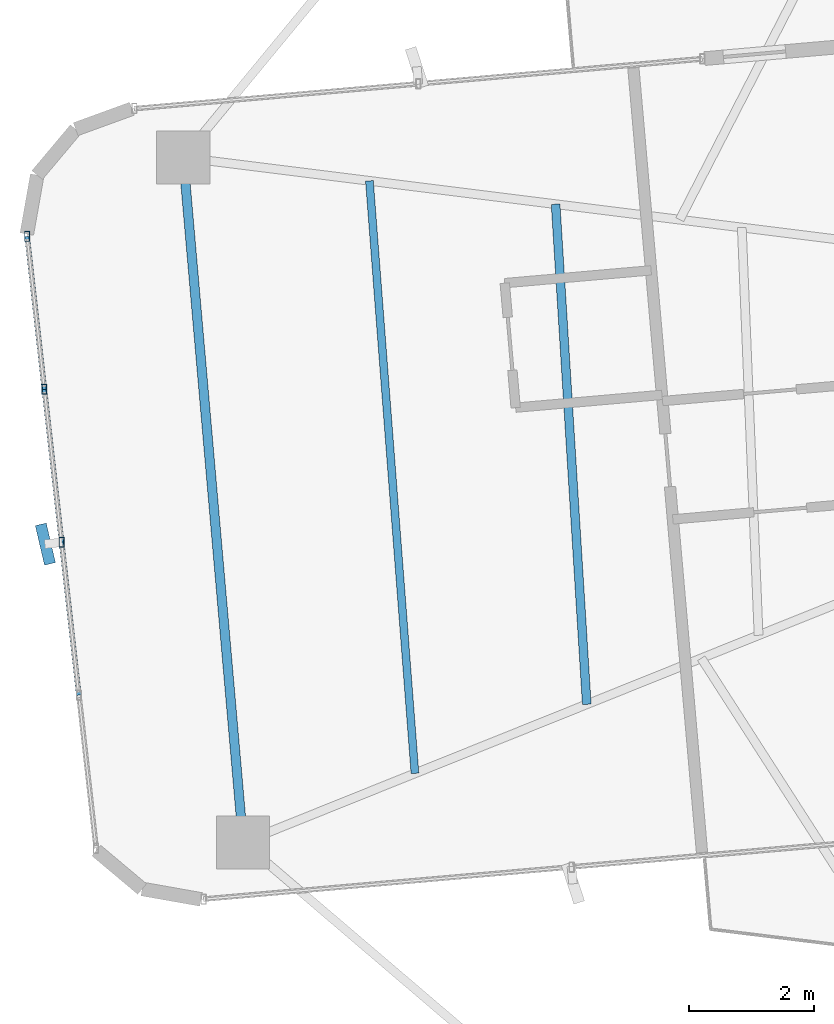
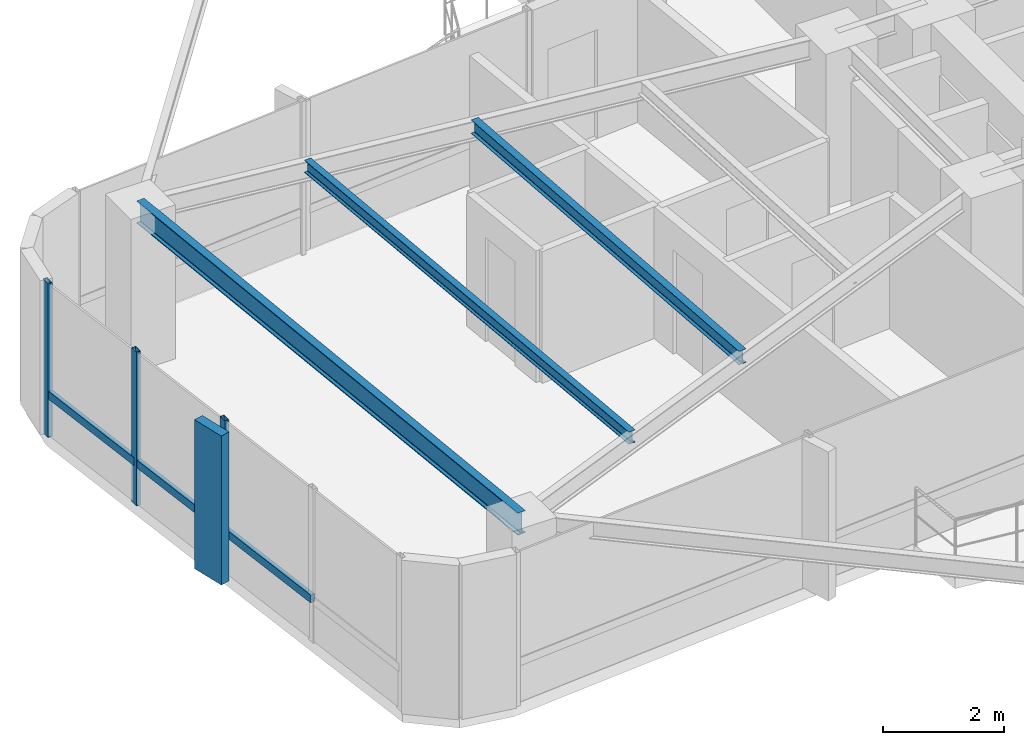
# One storey, part 8 of 24: 7 members, 3 beams, 1 element without a shape of its own.
"""IFC4 building model written with IfcOpenShell, lengths in metres."""

from ifc_helpers import new_model, si_unit, direction, frame, origin, origin_2d, place, context, subcontext, project, spatial, rectangle, hollow_rectangle, i_section, extrude, source, transform, mapped, material, material_profile, profile_set, type_object, element, aggregate, save


model = new_model("IFC4")

# Units and contexts
model_context = context("Model", 3, precision=1e-05, world=origin(), true_north=direction((0.0, 1.0)))
body_context = subcontext(model_context, "Body", "Model", "MODEL_VIEW")
ifc_project = project(units=[si_unit("LENGTHUNIT", "METRE"), si_unit("AREAUNIT", "SQUARE_METRE"), si_unit("VOLUMEUNIT", "CUBIC_METRE"), si_unit("PLANEANGLEUNIT", "RADIAN"), si_unit("MASSUNIT", "GRAM", prefix="KILO")], contexts=[model_context])

# Site, building, storey
site_placement = place(None, origin())
site = spatial("IfcSite", under=ifc_project, at=site_placement, CompositionType="ELEMENT")
building_placement = place(site_placement, origin())
building = spatial("IfcBuilding", under=site, at=building_placement, Name="Sahyath Konkavel Grand Hotel", CompositionType="ELEMENT")
storey_placement = place(building_placement, frame((0.0, 0.0, 191.949951171875)))
storey = spatial("IfcBuildingStorey", under=building, at=storey_placement, Name="L53", CompositionType="ELEMENT", Elevation=191.949951171875)

# Beams
ifc_material_1 = material(Name="Steel E350", Category="steel")
ifc_material_profile_1 = material_profile(ifc_material_1, i_section(OverallWidth=0.14990234375, OverallDepth=0.449951171875, WebThickness=0.009521484375, FlangeThickness=0.017333984375, FilletRadius=0.014892578125, at=origin_2d()), Name="ISMB 450")
ifc_profile_set_1 = profile_set([ifc_material_profile_1], Name="Steel E350")
beam_type_1 = type_object("IfcBeamType", Name="BM-ISMB450", PredefinedType="BEAM", material=ifc_profile_set_1)
shared_shape_1 = source(origin(), body_context, "Body", "SweptSolid", [
    extrude(i_section(OverallWidth=0.14990234375, OverallDepth=0.449951171875, WebThickness=0.009521484375, FlangeThickness=0.017333984375, FilletRadius=0.014892578125, at=origin_2d()), origin(), (0.0, 0.0, 1.0), 11.0),
])
beam_1_placement = place(storey_placement, frame((-17.912841796875, 3.953857421875, 2.885009765625), z_axis=(0.087157314015, -0.996194560622, 0.0), x_axis=(0.996194560622, 0.087157314015, 0.0)))
element("IfcBeam", 1, at=beam_1_placement, inside=storey, type_object=beam_type_1, Name="L53 Wing Tip Edge Beam W", PredefinedType="BEAM", context=body_context, shape_type="MappedRepresentation", body=[
    mapped(shared_shape_1, transform((0.0, 0.0, 0.0), scale=1.0)),
])
ifc_material_profile_2 = material_profile(ifc_material_1, i_section(OverallWidth=0.139892578125, OverallDepth=0.27490234375, WebThickness=0.00634765625, FlangeThickness=0.0087890625, FilletRadius=0.012939453125, at=origin_2d()), Name="ISLB 275")
ifc_profile_set_2 = profile_set([ifc_material_profile_2], Name="Steel E350")
beam_type_2 = type_object("IfcBeamType", Name="BM-ISLB275", PredefinedType="BEAM", material=ifc_profile_set_2)
shared_shape_2 = source(origin(), body_context, "Body", "SweptSolid", [
    extrude(i_section(OverallWidth=0.139892578125, OverallDepth=0.27490234375, WebThickness=0.00634765625, FlangeThickness=0.0087890625, FilletRadius=0.012939453125, at=origin_2d()), origin(), (0.0, 0.0, 1.0), 8.017822265625),
])
beam_2_placement = place(storey_placement, frame((-11.95458984375, 3.2080078125, 2.97265625), z_axis=(0.062179233264, -0.998064999362, 0.0), x_axis=(0.998064999362, 0.062179233264, 0.0)))
element("IfcBeam", 2, at=beam_2_placement, inside=storey, type_object=beam_type_2, Name="L53 Secondary Floor Beam W-2", PredefinedType="BEAM", context=body_context, shape_type="MappedRepresentation", body=[
    mapped(shared_shape_2, transform((0.0, 0.0, 0.0), scale=1.0)),
])
ifc_material_profile_3 = material_profile(ifc_material_1, i_section(OverallWidth=0.125, OverallDepth=0.25, WebThickness=0.0068359375, FlangeThickness=0.012451171875, FilletRadius=0.012939453125, at=origin_2d()), Name="ISMB 250")
ifc_profile_set_3 = profile_set([ifc_material_profile_3], Name="Steel E350")
beam_type_3 = type_object("IfcBeamType", Name="BM-ISMB250", PredefinedType="BEAM", material=ifc_profile_set_3)
shared_shape_3 = source(origin(), body_context, "Body", "SweptSolid", [
    extrude(i_section(OverallWidth=0.125, OverallDepth=0.25, WebThickness=0.0068359375, FlangeThickness=0.012451171875, FilletRadius=0.012939453125, at=origin_2d()), origin(), (0.0, 0.0, 1.0), 9.508056640625),
])
beam_3_placement = place(storey_placement, frame((-14.93359375, 3.580810546875, 2.985107421875), z_axis=(0.076619921029, -0.997060373148, 0.0), x_axis=(0.997060373148, 0.076619921029, 0.0)))
element("IfcBeam", 3, at=beam_3_placement, inside=storey, type_object=beam_type_3, Name="L53 Secondary Floor Beam W-3", PredefinedType="BEAM", context=body_context, shape_type="MappedRepresentation", body=[
    mapped(shared_shape_3, transform((0.0, 0.0, 0.0), scale=1.0)),
])

# Curtain wall, members
ifc_material_2 = material(Name="Anodised Bronze Aluminium & Low-E Glazing", Category="aluminium")
curtain_wall_type = type_object("IfcCurtainWallType", Name="CW-ZONE3", PredefinedType="NOTDEFINED", material=ifc_material_2)
curtain_wall_placement = place(storey_placement, origin())
curtain_wall = element("IfcCurtainWall", 4, at=curtain_wall_placement, inside=storey, type_object=curtain_wall_type, Name="L53 Unitised Curtain Wall F20", PredefinedType="NOTDEFINED")
ifc_material_3 = material(Name="Warm Buff Sandstone Cladding on Concrete C50/60", Category="masonry")
ifc_material_profile_4 = material_profile(ifc_material_3, rectangle(XDim=0.179931640625, YDim=0.64990234375, at=origin_2d()), Name="FIN 180x650")
ifc_profile_set_4 = profile_set([ifc_material_profile_4], Name="Warm Buff Sandstone Cladding on Concrete C50/60")
member_type_1 = type_object("IfcMemberType", Name="FIN-SANDSTONE-650", PredefinedType="MULLION", material=ifc_profile_set_4)
shared_shape_4 = source(origin(), body_context, "Body", "SweptSolid", [
    extrude(rectangle(XDim=0.179931640625, YDim=0.64990234375, at=origin_2d()), origin(), (0.0, 0.0, 1.0), 3.010009765625),
])
member_1_placement = place(storey_placement, frame((-20.1181640625, -2.23095703125, 0.050048828125), z_axis=(0.0, 0.0, 1.0), x_axis=(0.973896791711, 0.226991275371, 0.0)))
member_1 = element("IfcMember", 5, at=member_1_placement, type_object=member_type_1, Name="L53 Sandstone Vertical Solar Fin FIN F20-2", PredefinedType="MULLION", context=body_context, shape_type="MappedRepresentation", body=[
    mapped(shared_shape_4, transform((0.0, 0.0, 0.0), scale=1.0)),
])
ifc_material_4 = material(Name="Anodised Bronze Aluminium", Category="aluminium")
ifc_material_profile_5 = material_profile(ifc_material_4, hollow_rectangle(XDim=0.080078125, YDim=0.159912109375, WallThickness=0.006103515625, at=origin_2d()), Name="RHS 160x80x6")
ifc_profile_set_5 = profile_set([ifc_material_profile_5], Name="Anodised Bronze Aluminium")
member_type_2 = type_object("IfcMemberType", Name="CW-MUL-160", PredefinedType="MULLION", material=ifc_profile_set_5)
shared_shape_5 = source(origin(), body_context, "Body", "SweptSolid", [
    extrude(hollow_rectangle(XDim=0.080078125, YDim=0.159912109375, WallThickness=0.006103515625, at=origin_2d()), origin(), (0.0, 0.0, 1.0), 3.110107421875),
])
member_2_placement = place(storey_placement, frame((-20.4111328125, 2.69140625, 0.0), z_axis=(0.0, 0.0, 1.0), x_axis=(1.0, 0.0, 0.0)))
member_2 = element("IfcMember", 6, at=member_2_placement, type_object=member_type_2, Name="L53 Curtain Wall Mullion F20-0", PredefinedType="MULLION", context=body_context, shape_type="MappedRepresentation", body=[
    mapped(shared_shape_5, transform((0.0, 0.0, 0.0), scale=1.0)),
])
member_3_placement = place(storey_placement, frame((-20.135498046875, 0.24462890625, 0.0), z_axis=(0.0, 0.0, 1.0), x_axis=(1.0, 0.0, 0.0)))
member_3 = element("IfcMember", 7, at=member_3_placement, type_object=member_type_2, Name="L53 Curtain Wall Mullion F20-1", PredefinedType="MULLION", context=body_context, shape_type="MappedRepresentation", body=[
    mapped(shared_shape_5, transform((0.0, 0.0, 0.0), scale=1.0)),
])
member_4_placement = place(storey_placement, frame((-19.859619140625, -2.201904296875, 0.0), z_axis=(0.0, 0.0, 1.0), x_axis=(1.0, 0.0, 0.0)))
member_4 = element("IfcMember", 8, at=member_4_placement, type_object=member_type_2, Name="L53 Curtain Wall Mullion F20-2", PredefinedType="MULLION", context=body_context, shape_type="MappedRepresentation", body=[
    mapped(shared_shape_5, transform((0.0, 0.0, 0.0), scale=1.0)),
])
ifc_material_profile_6 = material_profile(ifc_material_4, hollow_rectangle(XDim=0.080078125, YDim=0.159912109375, WallThickness=0.006103515625, at=origin_2d()), Name="RHS 160x80x6")
ifc_profile_set_6 = profile_set([ifc_material_profile_6], Name="Anodised Bronze Aluminium")
member_type_3 = type_object("IfcMemberType", Name="CW-TRN-160", PredefinedType="USERDEFINED", material=ifc_profile_set_6)
shared_shape_6 = source(origin(), body_context, "Body", "SweptSolid", [
    extrude(hollow_rectangle(XDim=0.080078125, YDim=0.159912109375, WallThickness=0.006103515625, at=origin_2d()), origin(), (0.0, 0.0, 1.0), 2.462158203125),
])
member_5_placement = place(storey_placement, frame((-20.4111328125, 2.69140625, 0.85009765625), z_axis=(0.11194409079, -0.993714506555, 0.0), x_axis=(0.993714506555, 0.11194409079, 0.0)))
member_5 = element("IfcMember", 9, at=member_5_placement, type_object=member_type_3, Name="L53 Curtain Wall Transom F20-0-spandrel", ObjectType="TRANSOM", PredefinedType="USERDEFINED", context=body_context, shape_type="MappedRepresentation", body=[
    mapped(shared_shape_6, transform((0.0, 0.0, 0.0), scale=1.0)),
])
member_6_placement = place(storey_placement, frame((-20.135498046875, 0.24462890625, 0.85009765625), z_axis=(0.112053040279, -0.99370222711, 0.0), x_axis=(0.99370222711, 0.112053040279, 0.0)))
member_6 = element("IfcMember", 10, at=member_6_placement, type_object=member_type_3, Name="L53 Curtain Wall Transom F20-1-spandrel", ObjectType="TRANSOM", PredefinedType="USERDEFINED", context=body_context, shape_type="MappedRepresentation", body=[
    mapped(shared_shape_6, transform((0.0, 0.0, 0.0), scale=1.0)),
])
shared_shape_7 = source(origin(), body_context, "Body", "SweptSolid", [
    extrude(hollow_rectangle(XDim=0.080078125, YDim=0.159912109375, WallThickness=0.006103515625, at=origin_2d()), origin(), (0.0, 0.0, 1.0), 2.461669921875),
])
member_7_placement = place(storey_placement, frame((-19.859619140625, -2.201904296875, 0.85009765625), z_axis=(0.111966154832, -0.993712020744, 0.0), x_axis=(0.993712020744, 0.111966154832, 0.0)))
member_7 = element("IfcMember", 11, at=member_7_placement, type_object=member_type_3, Name="L53 Curtain Wall Transom F20-2-spandrel", ObjectType="TRANSOM", PredefinedType="USERDEFINED", context=body_context, shape_type="MappedRepresentation", body=[
    mapped(shared_shape_7, transform((0.0, 0.0, 0.0), scale=1.0)),
])
aggregate(curtain_wall, [member_2, member_3, member_4, member_1, member_5, member_6, member_7])

save(model, "model.ifc")
